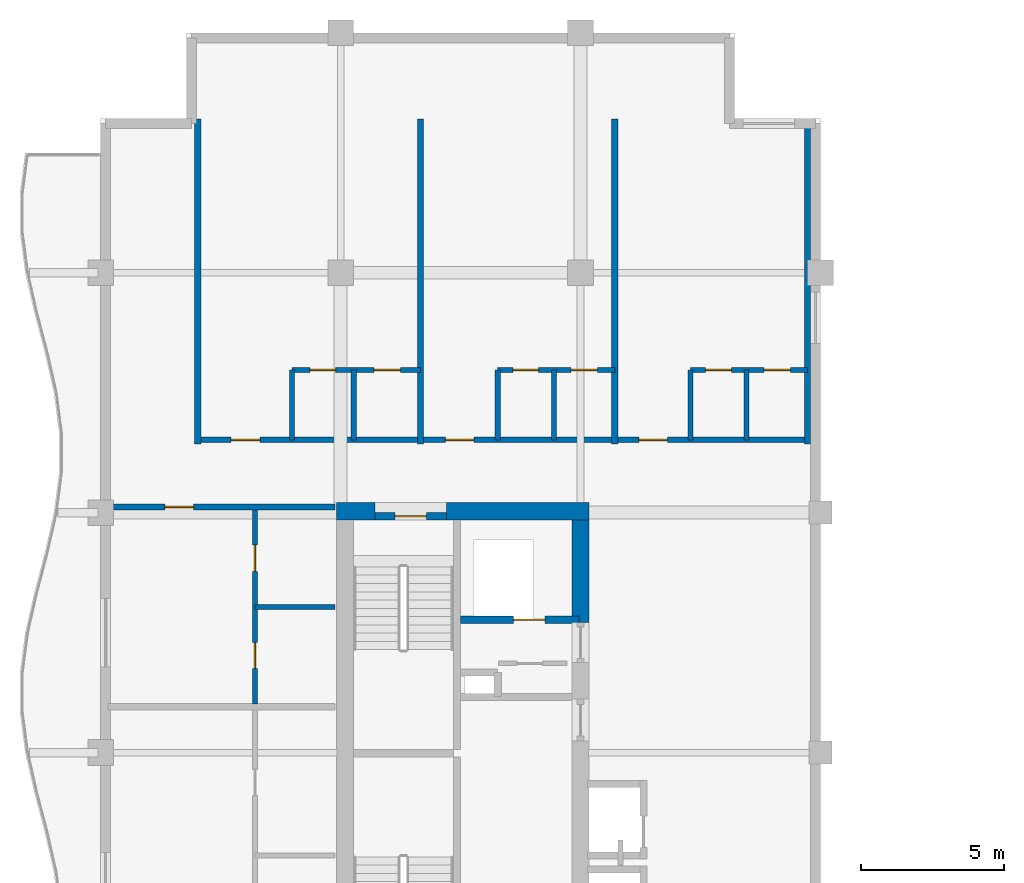
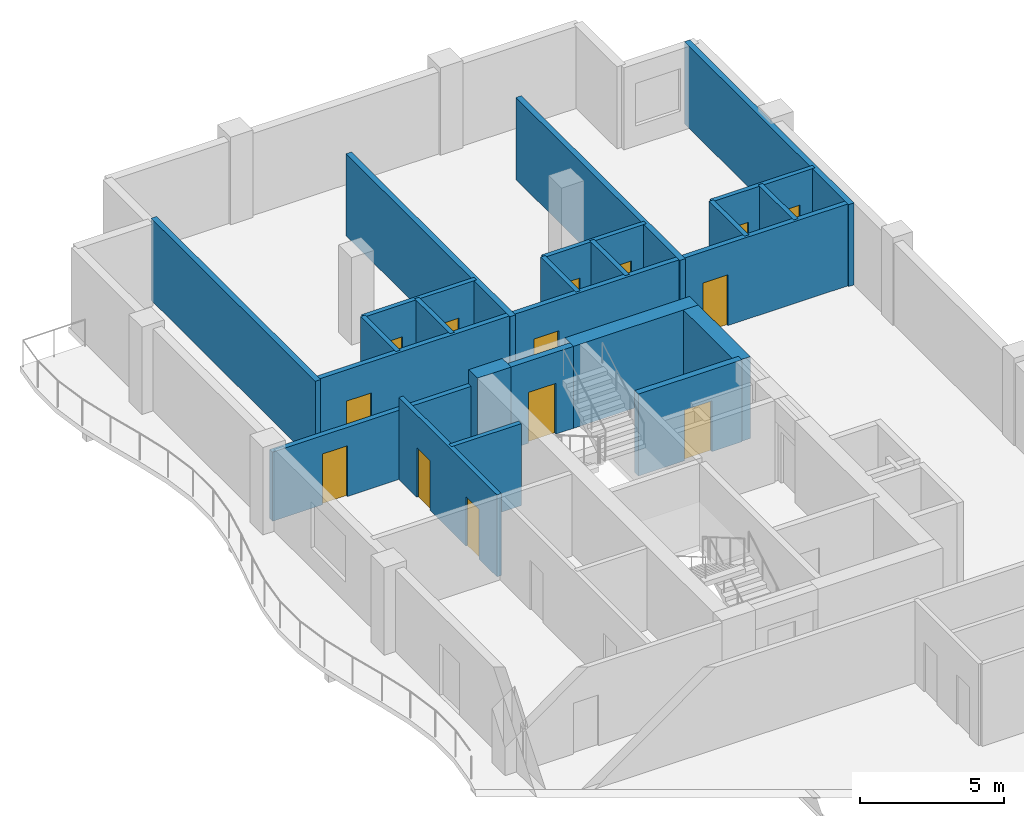
# One storey, part 7 of 12: 22 walls, 14 doors, 14 openings.
"""IFC4 building model written with IfcOpenShell, lengths in metres."""

from ifc_helpers import new_model, si_unit, direction, frame, frame_2d, origin, place, context, subcontext, project, spatial, rectangle, extrude, material, layer, layer_set, type_object, element, fill, save


model = new_model("IFC4")

# Units and contexts
model_context = context("Model", 3, precision=1e-05, world=origin(), true_north=direction((0.0, 1.0)))
body_context = subcontext(model_context, "Body", "Model", "MODEL_VIEW")
ifc_project = project(units=[si_unit("LENGTHUNIT", "METRE"), si_unit("AREAUNIT", "SQUARE_METRE"), si_unit("VOLUMEUNIT", "CUBIC_METRE"), si_unit("PLANEANGLEUNIT", "RADIAN"), si_unit("MASSUNIT", "GRAM", prefix="KILO")], contexts=[model_context])

# Site, building, storey
site_placement = place(None, origin())
site = spatial("IfcSite", under=ifc_project, at=site_placement, CompositionType="ELEMENT")
building_placement = place(site_placement, origin())
building = spatial("IfcBuilding", under=site, at=building_placement, Name="Koriwani Terraces Tower", CompositionType="ELEMENT")
storey_placement = place(building_placement, frame((0.0, 0.0, 256.39990234375)))
storey = spatial("IfcBuildingStorey", under=building, at=storey_placement, Name="L63", CompositionType="ELEMENT", Elevation=256.39990234375)

# Walls
ifc_material_1 = material(Name="Concrete C60/75", Category="concrete")
ifc_layer_1 = layer(ifc_material_1, 0.60009765625, Name="Concrete C60/75")
ifc_layer_set_1 = layer_set([ifc_layer_1], Name="Concrete C60/75")
wall_type_1 = type_object("IfcWallType", Name="WALL_CORE_RC_600", PredefinedType="SHEAR", material=ifc_layer_set_1)
wall_1_placement = place(storey_placement, frame((16.64990234375, 58.85009765625, 0.0), z_axis=(0.0, 0.0, 1.0), x_axis=(1.0, 0.0, 0.0)))
element("IfcWall", 1, at=wall_1_placement, inside=storey, type_object=wall_type_1, Name="L63 West Split Core Shear Wall N1", PredefinedType="SHEAR", context=body_context, shape_type="SweptSolid", body=[
    extrude(rectangle(XDim=1.35009765625, YDim=0.60009765625, at=frame_2d((0.675048828125, 0.0))), origin(), (0.0, 0.0, 1.0), 3.47021484375),
])
wall_2_placement = place(storey_placement, frame((20.5, 58.85009765625, 0.0), z_axis=(0.0, 0.0, 1.0), x_axis=(1.0, 0.0, 0.0)))
element("IfcWall", 2, at=wall_2_placement, inside=storey, type_object=wall_type_1, Name="L63 West Split Core Shear Wall N2", PredefinedType="SHEAR", context=body_context, shape_type="SweptSolid", body=[
    extrude(rectangle(XDim=5.0, YDim=0.60009765625, at=frame_2d((2.5, 0.0))), origin(), (0.0, 0.0, 1.0), 3.47021484375),
])
wall_3_placement = place(storey_placement, frame((25.199951171875, 54.949951171875, 0.0), z_axis=(0.0, 0.0, 1.0), x_axis=(0.0, 1.0, 0.0)))
element("IfcWall", 3, at=wall_3_placement, inside=storey, type_object=wall_type_1, Name="L63 West Split Core Shear Wall E3", PredefinedType="SHEAR", context=body_context, shape_type="SweptSolid", body=[
    extrude(rectangle(XDim=3.60009765625, YDim=0.60009765625, at=frame_2d((1.800048828125, 0.0))), origin(), (0.0, 0.0, 1.0), 3.47021484375),
])

# Wall, opening, door
ifc_material_2 = material(Name="Autoclaved Cellular Concrete Blockwork", Category="masonry")
ifc_layer_2 = layer(ifc_material_2, 0.199951171875, Name="Autoclaved Cellular Concrete Blockwork")
ifc_layer_set_2 = layer_set([ifc_layer_2], Name="Autoclaved Cellular Concrete Blockwork")
wall_type_2 = type_object("IfcWallType", Name="WALL_CORRIDOR_200", PredefinedType="PARTITIONING", material=ifc_layer_set_2)
wall_4_placement = place(storey_placement, frame((8.64990234375, 59.0, 0.0), z_axis=(0.0, 0.0, 1.0), x_axis=(1.0, 0.0, 0.0)))
wall_4 = element("IfcWall", 4, at=wall_4_placement, inside=storey, type_object=wall_type_2, Name="L63 Interior Wall WRZ4-WN-L63", PredefinedType="PARTITIONING", context=body_context, shape_type="SweptSolid", body=[
    extrude(rectangle(XDim=7.9501953125, YDim=0.199951171875, at=frame_2d((3.97509765625, 0.0))), origin(), (0.0, 0.0, 1.0), 2.927001953125),
])
opening_1_placement = place(wall_4_placement, frame((2.0, 0.0, 0.0)))
opening_1 = element("IfcOpeningElement", 5, at=opening_1_placement, cuts=wall_4, Name="Opening D-05", PredefinedType="OPENING", context=body_context, shape_type="SweptSolid", body=[
    extrude(rectangle(XDim=1.0, YDim=2.14990234375, at=frame_2d((0.5, 1.074951171875))), frame((0.0, 0.10986328125, 0.0), z_axis=(0.0, -1.0, 0.0), x_axis=(1.0, 0.0, 0.0)), (0.0, 0.0, 1.0), 0.219970703125),
])
ifc_material_3 = material(Name="Architectural Oak Fire Door", Category="wood")
door_type_1 = type_object("IfcDoorType", Name="DOOR_SUITE_ENTRY_1000X2150", OperationType="NOTDEFINED", PredefinedType="DOOR", material=ifc_material_3)
door_1_placement = place(opening_1_placement, origin())
door_1 = element("IfcDoor", 6, at=door_1_placement, inside=storey, type_object=door_type_1, Name="Apartment 63RW2 Entrance Door", OperationType="SINGLE_SWING_LEFT", OverallHeight=2.14990234375, OverallWidth=1.0, PredefinedType="DOOR", context=body_context, shape_type="SweptSolid", body=[
    extrude(rectangle(XDim=1.0, YDim=2.14990234375, at=frame_2d((0.5, 1.074951171875))), frame((0.0, 0.02490234375, 0.0), z_axis=(0.0, -1.0, 0.0), x_axis=(1.0, 0.0, 0.0)), (0.0, 0.0, 1.0), 0.050048828125),
])
fill(opening_1, door_1)

# Wall, openings, doors
wall_5_placement = place(storey_placement, frame((11.800048828125, 61.35009765625, 0.0), z_axis=(0.0, 0.0, 1.0), x_axis=(1.0, 0.0, 0.0)))
wall_5 = element("IfcWall", 7, at=wall_5_placement, inside=storey, type_object=wall_type_2, Name="L63 Interior Wall WRCOR-L63-NTS-0", PredefinedType="PARTITIONING", context=body_context, shape_type="SweptSolid", body=[
    extrude(rectangle(XDim=21.349853515625, YDim=0.199951171875, at=frame_2d((10.6748046875, 0.0))), origin(), (0.0, 0.0, 1.0), 3.47021484375),
])
opening_2_placement = place(wall_5_placement, frame((1.169921875, 0.0, 0.0)))
opening_2 = element("IfcOpeningElement", 8, at=opening_2_placement, cuts=wall_5, Name="Opening D-05", PredefinedType="OPENING", context=body_context, shape_type="SweptSolid", body=[
    extrude(rectangle(XDim=1.0, YDim=2.14990234375, at=frame_2d((0.5, 1.074951171875))), frame((0.0, 0.10986328125, 0.0), z_axis=(0.0, -1.0, 0.0), x_axis=(1.0, 0.0, 0.0)), (0.0, 0.0, 1.0), 0.219970703125),
])
opening_3_placement = place(wall_5_placement, frame((8.669921875, 0.0, 0.0)))
opening_3 = element("IfcOpeningElement", 9, at=opening_3_placement, cuts=wall_5, Name="Opening D-05", PredefinedType="OPENING", context=body_context, shape_type="SweptSolid", body=[
    extrude(rectangle(XDim=1.0, YDim=2.14990234375, at=frame_2d((0.5, 1.074951171875))), frame((0.0, 0.10986328125, 0.0), z_axis=(0.0, -1.0, 0.0), x_axis=(1.0, 0.0, 0.0)), (0.0, 0.0, 1.0), 0.219970703125),
])
opening_4_placement = place(wall_5_placement, frame((15.445068359375, 0.0, 0.0)))
opening_4 = element("IfcOpeningElement", 10, at=opening_4_placement, cuts=wall_5, Name="Opening D-05", PredefinedType="OPENING", context=body_context, shape_type="SweptSolid", body=[
    extrude(rectangle(XDim=1.0, YDim=2.14990234375, at=frame_2d((0.5, 1.074951171875))), frame((0.0, 0.10986328125, 0.0), z_axis=(0.0, -1.0, 0.0), x_axis=(1.0, 0.0, 0.0)), (0.0, 0.0, 1.0), 0.219970703125),
])
door_2_placement = place(opening_2_placement, origin())
door_2 = element("IfcDoor", 11, at=door_2_placement, inside=storey, type_object=door_type_1, Name="Apartment 63NTS1 Entrance Door", OperationType="SINGLE_SWING_RIGHT", OverallHeight=2.14990234375, OverallWidth=1.0, PredefinedType="DOOR", context=body_context, shape_type="SweptSolid", body=[
    extrude(rectangle(XDim=1.0, YDim=2.14990234375, at=frame_2d((0.5, 1.074951171875))), frame((0.0, 0.02490234375, 0.0), z_axis=(0.0, -1.0, 0.0), x_axis=(1.0, 0.0, 0.0)), (0.0, 0.0, 1.0), 0.050048828125),
])
fill(opening_2, door_2)
door_3_placement = place(opening_3_placement, origin())
door_3 = element("IfcDoor", 12, at=door_3_placement, inside=storey, type_object=door_type_1, Name="Apartment 63NTS2 Entrance Door", OperationType="SINGLE_SWING_LEFT", OverallHeight=2.14990234375, OverallWidth=1.0, PredefinedType="DOOR", context=body_context, shape_type="SweptSolid", body=[
    extrude(rectangle(XDim=1.0, YDim=2.14990234375, at=frame_2d((0.5, 1.074951171875))), frame((0.0, 0.02490234375, 0.0), z_axis=(0.0, -1.0, 0.0), x_axis=(1.0, 0.0, 0.0)), (0.0, 0.0, 1.0), 0.050048828125),
])
fill(opening_3, door_3)
door_4_placement = place(opening_4_placement, origin())
door_4 = element("IfcDoor", 13, at=door_4_placement, inside=storey, type_object=door_type_1, Name="Apartment 63NTS3 Entrance Door", OperationType="SINGLE_SWING_RIGHT", OverallHeight=2.14990234375, OverallWidth=1.0, PredefinedType="DOOR", context=body_context, shape_type="SweptSolid", body=[
    extrude(rectangle(XDim=1.0, YDim=2.14990234375, at=frame_2d((0.5, 1.074951171875))), frame((0.0, 0.02490234375, 0.0), z_axis=(0.0, -1.0, 0.0), x_axis=(1.0, 0.0, 0.0)), (0.0, 0.0, 1.0), 0.050048828125),
])
fill(opening_4, door_4)

# Walls
ifc_layer_3 = layer(ifc_material_2, 0.219970703125, Name="Autoclaved Cellular Concrete Blockwork")
ifc_layer_set_3 = layer_set([ifc_layer_3], Name="Autoclaved Cellular Concrete Blockwork")
wall_type_3 = type_object("IfcWallType", Name="WALL_DEMISING_220", PredefinedType="PARTITIONING", material=ifc_layer_set_3)
for number, where, z_axis, x_axis, name in (
    (14, (11.800048828125, 61.199951171875, 0.0), (0.0, 0.0, 1.0), (0.0, 1.0, 0.0), "L63 Interior Wall WRDEM-L63-NTS-0"),
    (15, (19.60009765625, 61.199951171875, 0.0), (0.0, 0.0, 1.0), (0.0, 1.0, 0.0), "L63 Interior Wall WRDEM-L63-NTS-1"),
    (16, (26.39990234375, 61.199951171875, 0.0), (0.0, 0.0, 1.0), (0.0, 1.0, 0.0), "L63 Interior Wall WRDEM-L63-NTS-2"),
    (17, (33.14990234375, 61.199951171875, 0.0), (0.0, 0.0, 1.0), (0.0, 1.0, 0.0), "L63 Interior Wall WRDEME-L63-NTS"),
):
    element("IfcWall", number, at=place(storey_placement, frame(where, z_axis=z_axis, x_axis=x_axis)), inside=storey, type_object=wall_type_3, Name=name, PredefinedType="PARTITIONING", context=body_context, shape_type="SweptSolid", body=[
        extrude(rectangle(XDim=11.380126953125, YDim=0.219970703125, at=frame_2d((5.68994140625, 0.0))), origin(), (0.0, 0.0, 1.0), 3.47021484375),
    ])

# Wall, openings, doors
ifc_material_4 = material(Name="Fire-Rated Acoustic Gypsum Partition", Category="masonry")
ifc_layer_4 = layer(ifc_material_4, 0.179931640625, Name="Fire-Rated Acoustic Gypsum Partition")
ifc_layer_set_4 = layer_set([ifc_layer_4], Name="Fire-Rated Acoustic Gypsum Partition")
wall_type_4 = type_object("IfcWallType", Name="WALL_PLUMBING_180", PredefinedType="PLUMBINGWALL", material=ifc_layer_set_4)
wall_6_placement = place(storey_placement, frame((13.800048828125, 52.10009765625, 0.0), z_axis=(0.0, 0.0, 1.0), x_axis=(0.0, 1.0, 0.0)))
wall_6 = element("IfcWall", 18, at=wall_6_placement, inside=storey, type_object=wall_type_4, Name="L63 Interior Wall WRZ4-RW2-PB-L63", PredefinedType="PLUMBINGWALL", context=body_context, shape_type="SweptSolid", body=[
    extrude(rectangle(XDim=6.7998046875, YDim=0.179931640625, at=frame_2d((3.39990234375, 0.0))), origin(), (0.0, 0.0, 1.0), 3.47021484375),
])
opening_5_placement = place(wall_6_placement, frame((1.25, 0.0, 0.0)))
opening_5 = element("IfcOpeningElement", 19, at=opening_5_placement, cuts=wall_6, Name="Opening D-07", PredefinedType="OPENING", context=body_context, shape_type="SweptSolid", body=[
    extrude(rectangle(XDim=0.89990234375, YDim=2.10009765625, at=frame_2d((0.449951171875, 1.050048828125))), frame((0.0, 0.10009765625, 0.0), z_axis=(0.0, -1.0, 0.0), x_axis=(1.0, 0.0, 0.0)), (0.0, 0.0, 1.0), 0.199951171875),
])
opening_6_placement = place(wall_6_placement, frame((4.639892578125, 0.0, 0.0)))
opening_6 = element("IfcOpeningElement", 20, at=opening_6_placement, cuts=wall_6, Name="Opening D-06", PredefinedType="OPENING", context=body_context, shape_type="SweptSolid", body=[
    extrude(rectangle(XDim=0.919921875, YDim=2.10009765625, at=frame_2d((0.4599609375, 1.050048828125))), frame((0.0, 0.10009765625, 0.0), z_axis=(0.0, -1.0, 0.0), x_axis=(1.0, 0.0, 0.0)), (0.0, 0.0, 1.0), 0.199951171875),
])
door_type_2 = type_object("IfcDoorType", Name="DOOR_BATH_INT_900X2100", OperationType="NOTDEFINED", PredefinedType="DOOR", material=ifc_material_3)
door_5_placement = place(opening_5_placement, origin())
door_5 = element("IfcDoor", 21, at=door_5_placement, inside=storey, type_object=door_type_2, Name="Apartment 63RW2 Bathroom Door", OperationType="SINGLE_SWING_RIGHT", OverallHeight=2.10009765625, OverallWidth=0.89990234375, PredefinedType="DOOR", context=body_context, shape_type="SweptSolid", body=[
    extrude(rectangle(XDim=0.89990234375, YDim=2.10009765625, at=frame_2d((0.449951171875, 1.050048828125))), frame((0.0, 0.02490234375, 0.0), z_axis=(0.0, -1.0, 0.0), x_axis=(1.0, 0.0, 0.0)), (0.0, 0.0, 1.0), 0.050048828125),
])
fill(opening_5, door_5)
door_type_3 = type_object("IfcDoorType", Name="DOOR_ROOM_INT_920X2100", OperationType="NOTDEFINED", PredefinedType="DOOR", material=ifc_material_3)
door_6_placement = place(opening_6_placement, origin())
door_6 = element("IfcDoor", 22, at=door_6_placement, inside=storey, type_object=door_type_3, Name="Apartment 63RW2 Kitchen Door", OperationType="SINGLE_SWING_LEFT", OverallHeight=2.10009765625, OverallWidth=0.919921875, PredefinedType="DOOR", context=body_context, shape_type="SweptSolid", body=[
    extrude(rectangle(XDim=0.919921875, YDim=2.10009765625, at=frame_2d((0.4599609375, 1.050048828125))), frame((0.0, 0.02490234375, 0.0), z_axis=(0.0, -1.0, 0.0), x_axis=(1.0, 0.0, 0.0)), (0.0, 0.0, 1.0), 0.050048828125),
])
fill(opening_6, door_6)

# Wall
wall_7_placement = place(storey_placement, frame((13.800048828125, 55.5, 0.0), z_axis=(0.0, 0.0, 1.0), x_axis=(1.0, 0.0, 0.0)))
element("IfcWall", 23, at=wall_7_placement, inside=storey, type_object=wall_type_4, Name="L63 Interior Wall WRZ4-RW2-P2-L63", PredefinedType="PLUMBINGWALL", context=body_context, shape_type="SweptSolid", body=[
    extrude(rectangle(XDim=2.800048828125, YDim=0.179931640625, at=frame_2d((1.39990234375, 0.0))), origin(), (0.0, 0.0, 1.0), 3.47021484375),
])

# Wall, openings, doors
wall_8_placement = place(storey_placement, frame((15.10009765625, 63.800048828125, 0.0), z_axis=(0.0, 0.0, 1.0), x_axis=(1.0, 0.0, 0.0)))
wall_8 = element("IfcWall", 24, at=wall_8_placement, inside=storey, type_object=wall_type_4, Name="L63 Interior Wall WRSVC-L63-NTS-0", PredefinedType="PLUMBINGWALL", context=body_context, shape_type="SweptSolid", body=[
    extrude(rectangle(XDim=4.5, YDim=0.179931640625, at=frame_2d((2.25, 0.0))), origin(), (0.0, 0.0, 1.0), 3.47021484375),
])
opening_7_placement = place(wall_8_placement, frame((0.6298828125, 0.0, 0.0)))
opening_7 = element("IfcOpeningElement", 25, at=opening_7_placement, cuts=wall_8, Name="Opening D-07", PredefinedType="OPENING", context=body_context, shape_type="SweptSolid", body=[
    extrude(rectangle(XDim=0.89990234375, YDim=2.10009765625, at=frame_2d((0.449951171875, 1.050048828125))), frame((0.0, 0.10009765625, 0.0), z_axis=(0.0, -1.0, 0.0), x_axis=(1.0, 0.0, 0.0)), (0.0, 0.0, 1.0), 0.199951171875),
])
opening_8_placement = place(wall_8_placement, frame((2.8701171875, 0.0, 0.0)))
opening_8 = element("IfcOpeningElement", 26, at=opening_8_placement, cuts=wall_8, Name="Opening D-06", PredefinedType="OPENING", context=body_context, shape_type="SweptSolid", body=[
    extrude(rectangle(XDim=0.919921875, YDim=2.10009765625, at=frame_2d((0.4599609375, 1.050048828125))), frame((0.0, 0.10009765625, 0.0), z_axis=(0.0, -1.0, 0.0), x_axis=(1.0, 0.0, 0.0)), (0.0, 0.0, 1.0), 0.199951171875),
])
door_7_placement = place(opening_7_placement, origin())
door_7 = element("IfcDoor", 27, at=door_7_placement, inside=storey, type_object=door_type_2, Name="Apartment 63NTS1 Bathroom Door", OperationType="SINGLE_SWING_LEFT", OverallHeight=2.10009765625, OverallWidth=0.89990234375, PredefinedType="DOOR", context=body_context, shape_type="SweptSolid", body=[
    extrude(rectangle(XDim=0.89990234375, YDim=2.10009765625, at=frame_2d((0.449951171875, 1.050048828125))), frame((0.0, 0.02490234375, 0.0), z_axis=(0.0, -1.0, 0.0), x_axis=(1.0, 0.0, 0.0)), (0.0, 0.0, 1.0), 0.050048828125),
])
fill(opening_7, door_7)
door_8_placement = place(opening_8_placement, origin())
door_8 = element("IfcDoor", 28, at=door_8_placement, inside=storey, type_object=door_type_3, Name="Apartment 63NTS1 Kitchen Door", OperationType="SINGLE_SWING_RIGHT", OverallHeight=2.10009765625, OverallWidth=0.919921875, PredefinedType="DOOR", context=body_context, shape_type="SweptSolid", body=[
    extrude(rectangle(XDim=0.919921875, YDim=2.10009765625, at=frame_2d((0.4599609375, 1.050048828125))), frame((0.0, 0.02490234375, 0.0), z_axis=(0.0, -1.0, 0.0), x_axis=(1.0, 0.0, 0.0)), (0.0, 0.0, 1.0), 0.050048828125),
])
fill(opening_8, door_8)

# Walls
for number, where, z_axis, x_axis, name in (
    (29, (15.10009765625, 61.35009765625, 0.0), (0.0, 0.0, 1.0), (0.0, 1.0, 0.0), "L63 Interior Wall WRSVCS-L63-NTS-0"),
    (30, (17.260009765625, 61.35009765625, 0.0), (0.0, 0.0, 1.0), (0.0, 1.0, 0.0), "L63 Interior Wall WRSVCM-L63-NTS-0"),
):
    element("IfcWall", number, at=place(storey_placement, frame(where, z_axis=z_axis, x_axis=x_axis)), inside=storey, type_object=wall_type_4, Name=name, PredefinedType="PLUMBINGWALL", context=body_context, shape_type="SweptSolid", body=[
        extrude(rectangle(XDim=2.449951171875, YDim=0.179931640625, at=frame_2d((1.22509765625, 0.0))), origin(), (0.0, 0.0, 1.0), 3.47021484375),
    ])

# Wall, openings, doors
wall_9_placement = place(storey_placement, frame((22.300048828125, 63.800048828125, 0.0), z_axis=(0.0, 0.0, 1.0), x_axis=(1.0, 0.0, 0.0)))
wall_9 = element("IfcWall", 31, at=wall_9_placement, inside=storey, type_object=wall_type_4, Name="L63 Interior Wall WRSVC-L63-NTS-1", PredefinedType="PLUMBINGWALL", context=body_context, shape_type="SweptSolid", body=[
    extrude(rectangle(XDim=4.099853515625, YDim=0.179931640625, at=frame_2d((2.0498046875, 0.0))), origin(), (0.0, 0.0, 1.0), 3.47021484375),
])
opening_9_placement = place(wall_9_placement, frame((0.533935546875, 0.0, 0.0)))
opening_9 = element("IfcOpeningElement", 32, at=opening_9_placement, cuts=wall_9, Name="Opening D-07", PredefinedType="OPENING", context=body_context, shape_type="SweptSolid", body=[
    extrude(rectangle(XDim=0.89990234375, YDim=2.10009765625, at=frame_2d((0.449951171875, 1.050048828125))), frame((0.0, 0.10009765625, 0.0), z_axis=(0.0, -1.0, 0.0), x_axis=(1.0, 0.0, 0.0)), (0.0, 0.0, 1.0), 0.199951171875),
])
opening_10_placement = place(wall_9_placement, frame((2.573974609375, 0.0, 0.0)))
opening_10 = element("IfcOpeningElement", 33, at=opening_10_placement, cuts=wall_9, Name="Opening D-06", PredefinedType="OPENING", context=body_context, shape_type="SweptSolid", body=[
    extrude(rectangle(XDim=0.919921875, YDim=2.10009765625, at=frame_2d((0.4599609375, 1.050048828125))), frame((0.0, 0.10009765625, 0.0), z_axis=(0.0, -1.0, 0.0), x_axis=(1.0, 0.0, 0.0)), (0.0, 0.0, 1.0), 0.199951171875),
])
door_9_placement = place(opening_9_placement, origin())
door_9 = element("IfcDoor", 34, at=door_9_placement, inside=storey, type_object=door_type_2, Name="Apartment 63NTS2 Bathroom Door", OperationType="SINGLE_SWING_RIGHT", OverallHeight=2.10009765625, OverallWidth=0.89990234375, PredefinedType="DOOR", context=body_context, shape_type="SweptSolid", body=[
    extrude(rectangle(XDim=0.89990234375, YDim=2.10009765625, at=frame_2d((0.449951171875, 1.050048828125))), frame((0.0, 0.02490234375, 0.0), z_axis=(0.0, -1.0, 0.0), x_axis=(1.0, 0.0, 0.0)), (0.0, 0.0, 1.0), 0.050048828125),
])
fill(opening_9, door_9)
door_10_placement = place(opening_10_placement, origin())
door_10 = element("IfcDoor", 35, at=door_10_placement, inside=storey, type_object=door_type_3, Name="Apartment 63NTS2 Kitchen Door", OperationType="SINGLE_SWING_LEFT", OverallHeight=2.10009765625, OverallWidth=0.919921875, PredefinedType="DOOR", context=body_context, shape_type="SweptSolid", body=[
    extrude(rectangle(XDim=0.919921875, YDim=2.10009765625, at=frame_2d((0.4599609375, 1.050048828125))), frame((0.0, 0.02490234375, 0.0), z_axis=(0.0, -1.0, 0.0), x_axis=(1.0, 0.0, 0.0)), (0.0, 0.0, 1.0), 0.050048828125),
])
fill(opening_10, door_10)

# Walls
for number, where, z_axis, x_axis, name in (
    (36, (22.300048828125, 61.35009765625, 0.0), (0.0, 0.0, 1.0), (0.0, 1.0, 0.0), "L63 Interior Wall WRSVCS-L63-NTS-1"),
    (37, (24.26806640625, 61.35009765625, 0.0), (0.0, 0.0, 1.0), (0.0, 1.0, 0.0), "L63 Interior Wall WRSVCM-L63-NTS-1"),
):
    element("IfcWall", number, at=place(storey_placement, frame(where, z_axis=z_axis, x_axis=x_axis)), inside=storey, type_object=wall_type_4, Name=name, PredefinedType="PLUMBINGWALL", context=body_context, shape_type="SweptSolid", body=[
        extrude(rectangle(XDim=2.449951171875, YDim=0.179931640625, at=frame_2d((1.22509765625, 0.0))), origin(), (0.0, 0.0, 1.0), 3.47021484375),
    ])

# Wall, openings, doors
wall_10_placement = place(storey_placement, frame((29.050048828125, 63.800048828125, 0.0), z_axis=(0.0, 0.0, 1.0), x_axis=(1.0, 0.0, 0.0)))
wall_10 = element("IfcWall", 38, at=wall_10_placement, inside=storey, type_object=wall_type_4, Name="L63 Interior Wall WRSVC-L63-NTS-2", PredefinedType="PLUMBINGWALL", context=body_context, shape_type="SweptSolid", body=[
    extrude(rectangle(XDim=4.099853515625, YDim=0.179931640625, at=frame_2d((2.0498046875, 0.0))), origin(), (0.0, 0.0, 1.0), 3.47021484375),
])
opening_11_placement = place(wall_10_placement, frame((0.533935546875, 0.0, 0.0)))
opening_11 = element("IfcOpeningElement", 39, at=opening_11_placement, cuts=wall_10, Name="Opening D-07", PredefinedType="OPENING", context=body_context, shape_type="SweptSolid", body=[
    extrude(rectangle(XDim=0.89990234375, YDim=2.10009765625, at=frame_2d((0.449951171875, 1.050048828125))), frame((0.0, 0.10009765625, 0.0), z_axis=(0.0, -1.0, 0.0), x_axis=(1.0, 0.0, 0.0)), (0.0, 0.0, 1.0), 0.199951171875),
])
opening_12_placement = place(wall_10_placement, frame((2.573974609375, 0.0, 0.0)))
opening_12 = element("IfcOpeningElement", 40, at=opening_12_placement, cuts=wall_10, Name="Opening D-06", PredefinedType="OPENING", context=body_context, shape_type="SweptSolid", body=[
    extrude(rectangle(XDim=0.919921875, YDim=2.10009765625, at=frame_2d((0.4599609375, 1.050048828125))), frame((0.0, 0.10009765625, 0.0), z_axis=(0.0, -1.0, 0.0), x_axis=(1.0, 0.0, 0.0)), (0.0, 0.0, 1.0), 0.199951171875),
])
door_11_placement = place(opening_11_placement, origin())
door_11 = element("IfcDoor", 41, at=door_11_placement, inside=storey, type_object=door_type_2, Name="Apartment 63NTS3 Bathroom Door", OperationType="SINGLE_SWING_LEFT", OverallHeight=2.10009765625, OverallWidth=0.89990234375, PredefinedType="DOOR", context=body_context, shape_type="SweptSolid", body=[
    extrude(rectangle(XDim=0.89990234375, YDim=2.10009765625, at=frame_2d((0.449951171875, 1.050048828125))), frame((0.0, 0.02490234375, 0.0), z_axis=(0.0, -1.0, 0.0), x_axis=(1.0, 0.0, 0.0)), (0.0, 0.0, 1.0), 0.050048828125),
])
fill(opening_11, door_11)
door_12_placement = place(opening_12_placement, origin())
door_12 = element("IfcDoor", 42, at=door_12_placement, inside=storey, type_object=door_type_3, Name="Apartment 63NTS3 Kitchen Door", OperationType="SINGLE_SWING_RIGHT", OverallHeight=2.10009765625, OverallWidth=0.919921875, PredefinedType="DOOR", context=body_context, shape_type="SweptSolid", body=[
    extrude(rectangle(XDim=0.919921875, YDim=2.10009765625, at=frame_2d((0.4599609375, 1.050048828125))), frame((0.0, 0.02490234375, 0.0), z_axis=(0.0, -1.0, 0.0), x_axis=(1.0, 0.0, 0.0)), (0.0, 0.0, 1.0), 0.050048828125),
])
fill(opening_12, door_12)

# Walls
for number, where, z_axis, x_axis, name in (
    (43, (29.050048828125, 61.35009765625, 0.0), (0.0, 0.0, 1.0), (0.0, 1.0, 0.0), "L63 Interior Wall WRSVCS-L63-NTS-2"),
    (44, (31.01806640625, 61.35009765625, 0.0), (0.0, 0.0, 1.0), (0.0, 1.0, 0.0), "L63 Interior Wall WRSVCM-L63-NTS-2"),
):
    element("IfcWall", number, at=place(storey_placement, frame(where, z_axis=z_axis, x_axis=x_axis)), inside=storey, type_object=wall_type_4, Name=name, PredefinedType="PLUMBINGWALL", context=body_context, shape_type="SweptSolid", body=[
        extrude(rectangle(XDim=2.449951171875, YDim=0.179931640625, at=frame_2d((1.22509765625, 0.0))), origin(), (0.0, 0.0, 1.0), 3.47021484375),
    ])

# Wall, opening, door
ifc_material_5 = material(Name="Concrete C40/50", Category="concrete")
ifc_layer_5 = layer(ifc_material_5, 0.25, Name="Concrete C40/50")
ifc_layer_set_5 = layer_set([ifc_layer_5], Name="Concrete C40/50")
wall_type_5 = type_object("IfcWallType", Name="WALL_SHAFT_RATED_250", PredefinedType="SOLIDWALL", material=ifc_layer_set_5)
wall_11_placement = place(storey_placement, frame((18.0, 58.675048828125, 0.0), z_axis=(0.0, 0.0, 1.0), x_axis=(1.0, 0.0, 0.0)))
wall_11 = element("IfcWall", 45, at=wall_11_placement, inside=storey, type_object=wall_type_5, Name="L63 Interior Wall WIN-CW-L63-STN", PredefinedType="SOLIDWALL", context=body_context, shape_type="SweptSolid", body=[
    extrude(rectangle(XDim=2.5, YDim=0.25, at=frame_2d((1.25, 0.0))), origin(), (0.0, 0.0, 1.0), 3.47021484375),
])
opening_13_placement = place(wall_11_placement, frame((0.699951171875, 0.0, 0.0)))
opening_13 = element("IfcOpeningElement", 46, at=opening_13_placement, cuts=wall_11, Name="Opening D-03", PredefinedType="OPENING", context=body_context, shape_type="SweptSolid", body=[
    extrude(rectangle(XDim=1.10009765625, YDim=2.14990234375, at=frame_2d((0.550048828125, 1.074951171875))), frame((0.0, 0.135009765625, 0.0), z_axis=(0.0, -1.0, 0.0), x_axis=(1.0, 0.0, 0.0)), (0.0, 0.0, 1.0), 0.27001953125),
])
ifc_material_6 = material(Name="Steel ASTM A572 Grade 50", Category="steel")
door_type_4 = type_object("IfcDoorType", Name="DOOR_STAIR_FIRE_1100X2150", OperationType="NOTDEFINED", PredefinedType="DOOR", material=ifc_material_6)
door_13_placement = place(opening_13_placement, origin())
door_13 = element("IfcDoor", 47, at=door_13_placement, inside=storey, type_object=door_type_4, Name="L63 Exit Stair ST-W2 Door", OperationType="SINGLE_SWING_RIGHT", OverallHeight=2.14990234375, OverallWidth=1.10009765625, PredefinedType="DOOR", context=body_context, shape_type="SweptSolid", body=[
    extrude(rectangle(XDim=1.10009765625, YDim=2.14990234375, at=frame_2d((0.550048828125, 1.074951171875))), frame((0.0, 0.02490234375, 0.0), z_axis=(0.0, -1.0, 0.0), x_axis=(1.0, 0.0, 0.0)), (0.0, 0.0, 1.0), 0.050048828125),
])
fill(opening_13, door_13)

wall_12_placement = place(storey_placement, frame((21.0, 55.050048828125, 0.0), z_axis=(0.0, 0.0, 1.0), x_axis=(1.0, 0.0, 0.0)))
wall_12 = element("IfcWall", 48, at=wall_12_placement, inside=storey, type_object=wall_type_5, Name="L63 Interior Wall WIN-CW-L63-SE", PredefinedType="SOLIDWALL", context=body_context, shape_type="SweptSolid", body=[
    extrude(rectangle(XDim=4.14990234375, YDim=0.25, at=frame_2d((2.074951171875, 0.0))), origin(), (0.0, 0.0, 1.0), 3.47021484375),
])
opening_14_placement = place(wall_12_placement, frame((1.85009765625, 0.0, 0.0)))
opening_14 = element("IfcOpeningElement", 49, at=opening_14_placement, cuts=wall_12, Name="Opening LD-01", PredefinedType="OPENING", context=body_context, shape_type="SweptSolid", body=[
    extrude(rectangle(XDim=1.10009765625, YDim=2.14990234375, at=frame_2d((0.550048828125, 1.074951171875))), frame((0.0, 0.135009765625, 0.0), z_axis=(0.0, -1.0, 0.0), x_axis=(1.0, 0.0, 0.0)), (0.0, 0.0, 1.0), 0.27001953125),
])
door_type_5 = type_object("IfcDoorType", Name="DOOR_LIFT_LANDING_1100X2200", OperationType="NOTDEFINED", PredefinedType="DOOR", material=ifc_material_6)
door_14_placement = place(opening_14_placement, origin())
door_14 = element("IfcDoor", 50, at=door_14_placement, inside=storey, type_object=door_type_5, Name="L63 Goods Lift SE-01 Landing Door", OperationType="SLIDING_TO_LEFT", OverallHeight=2.14990234375, OverallWidth=1.10009765625, PredefinedType="DOOR", context=body_context, shape_type="SweptSolid", body=[
    extrude(rectangle(XDim=1.10009765625, YDim=2.14990234375, at=frame_2d((0.550048828125, 1.074951171875))), frame((0.0, 0.02490234375, 0.0), z_axis=(0.0, -1.0, 0.0), x_axis=(1.0, 0.0, 0.0)), (0.0, 0.0, 1.0), 0.050048828125),
])
fill(opening_14, door_14)

save(model, "model.ifc")
